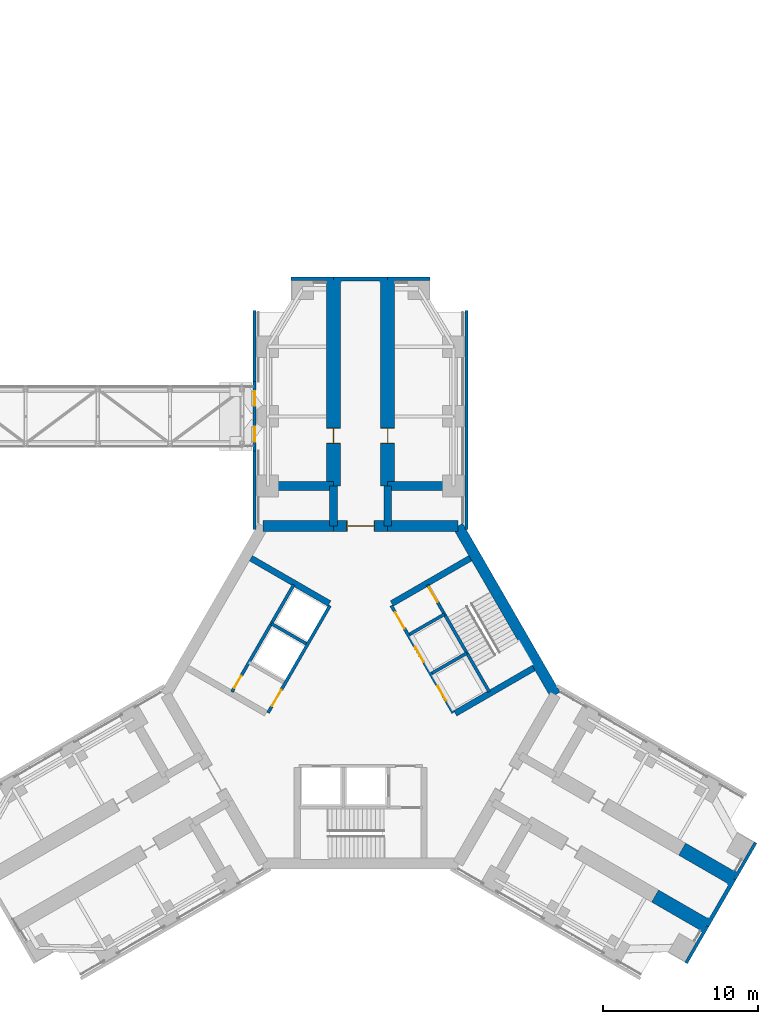
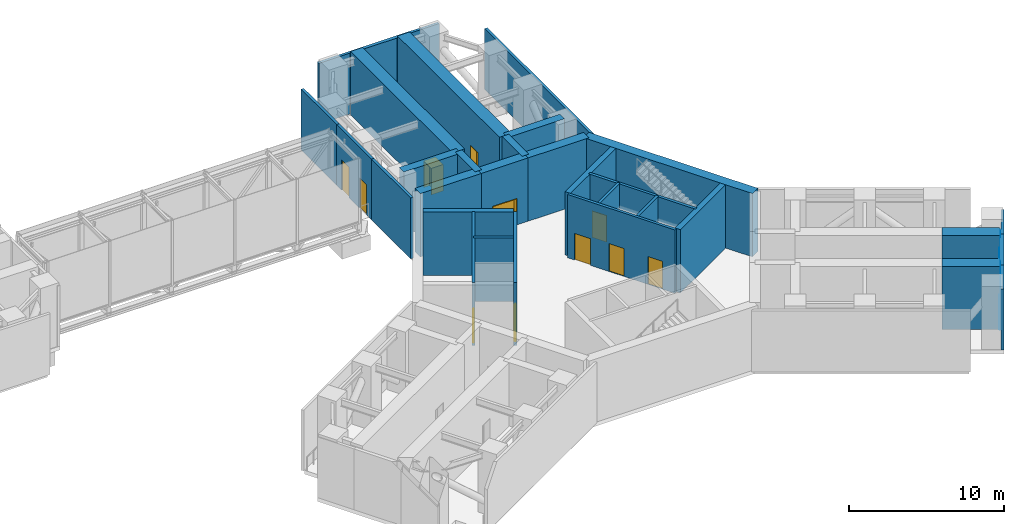
# One storey, part 11 of 17: 36 walls, 11 doors, 11 openings.
"""IFC4 building model written with IfcOpenShell, lengths in metres."""

from ifc_helpers import new_model, si_unit, direction, frame, frame_2d, origin, place, context, subcontext, project, spatial, rectangle, extrude, material, layer, layer_set, type_object, element, fill, save


model = new_model("IFC4")

# Units and contexts
model_context = context("Model", 3, precision=1e-05, world=origin(), true_north=direction((0.0, 1.0)))
body_context = subcontext(model_context, "Body", "Model", "MODEL_VIEW")
ifc_project = project(units=[si_unit("LENGTHUNIT", "METRE"), si_unit("AREAUNIT", "SQUARE_METRE"), si_unit("VOLUMEUNIT", "CUBIC_METRE"), si_unit("PLANEANGLEUNIT", "RADIAN"), si_unit("MASSUNIT", "GRAM", prefix="KILO")], contexts=[model_context])

# Site, building, storey
site_placement = place(None, origin())
site = spatial("IfcSite", under=ifc_project, at=site_placement, CompositionType="ELEMENT")
building_placement = place(site_placement, origin())
building = spatial("IfcBuilding", under=site, at=building_placement, Name="Upepo Twin Towers", CompositionType="ELEMENT")
storey_placement = place(building_placement, frame((0.0, 0.0, 92.5)))
storey = spatial("IfcBuildingStorey", under=building, at=storey_placement, Name="L22", CompositionType="ELEMENT", Elevation=92.5)

# Walls
ifc_material_1 = material(Name="Precast concrete breeze blocks", Category="concrete")
ifc_layer_1 = layer(ifc_material_1, 0.199951171875)
ifc_layer_set_1 = layer_set([ifc_layer_1], Name="Breeze-block screen wall 200")
wall_type_1 = type_object("IfcWallType", Name="Breeze-block screen wall 200", PredefinedType="USERDEFINED", material=ifc_layer_set_1)
wall_1_placement = place(storey_placement, frame((51.64990234375, -7.31298828125, 0.0), z_axis=(0.0, 0.0, 1.0), x_axis=(0.0, 1.0, 0.0)))
element("IfcWall", 1, at=wall_1_placement, inside=storey, type_object=wall_type_1, Name="T2 L22 wing A screen L1", ObjectType="SCREEN", PredefinedType="USERDEFINED", context=body_context, shape_type="SweptSolid", body=[
    extrude(rectangle(XDim=5.06298828125, YDim=0.199951171875, at=frame_2d((2.531494140625, 0.0))), origin(), (0.0, 0.0, 1.0), 4.800048828125),
])
wall_2_placement = place(storey_placement, frame((51.64990234375, 2.25, 0.0), z_axis=(0.0, 0.0, 1.0), x_axis=(0.0, 1.0, 0.0)))
element("IfcWall", 2, at=wall_2_placement, inside=storey, type_object=wall_type_1, Name="T2 L22 wing A screen L2", ObjectType="SCREEN", PredefinedType="USERDEFINED", context=body_context, shape_type="SweptSolid", body=[
    extrude(rectangle(XDim=4.60009765625, YDim=0.199951171875, at=frame_2d((2.300048828125, 0.0))), origin(), (0.0, 0.0, 1.0), 4.800048828125),
])
wall_3_placement = place(storey_placement, frame((65.35009765625, 6.85009765625, 0.0), z_axis=(0.0, 0.0, 1.0), x_axis=(0.0, -1.0, 0.0)))
element("IfcWall", 3, at=wall_3_placement, inside=storey, type_object=wall_type_1, Name="T2 L22 wing A screen R", ObjectType="SCREEN", PredefinedType="USERDEFINED", context=body_context, shape_type="SweptSolid", body=[
    extrude(rectangle(XDim=14.1630859375, YDim=0.199951171875, at=frame_2d((7.08154296875, 0.0))), origin(), (0.0, 0.0, 1.0), 4.800048828125),
])
for number, where, z_axis, x_axis, name in (
    (4, (63.0, 8.89990234375, 0.0), (0.0, 0.0, 1.0), (-1.0, 0.0, 0.0), "T2 L22 wing A nose screen 0"),
    (5, (56.75, 8.89990234375, 0.0), (0.0, 0.0, 1.0), (-1.0, 0.0, 0.0), "T2 L22 wing A nose screen 2"),
    (6, (79.546142578125, -35.34716796875, 0.0), (0.0, 0.0, 1.0), (0.499996545922, 0.866027397988, 0.0), "T2 L22 wing C nose screen 0"),
    (7, (82.671142578125, -29.9345703125, 0.0), (0.0, 0.0, 1.0), (0.499996545922, 0.866027397988, 0.0), "T2 L22 wing C nose screen 2"),
):
    element("IfcWall", number, at=place(storey_placement, frame(where, z_axis=z_axis, x_axis=x_axis)), inside=storey, type_object=wall_type_1, Name=name, ObjectType="SCREEN", PredefinedType="USERDEFINED", context=body_context, shape_type="SweptSolid", body=[
        extrude(rectangle(XDim=2.75, YDim=0.199951171875, at=frame_2d((1.375, 0.0))), origin(), (0.0, 0.0, 1.0), 4.800048828125),
    ])
ifc_material_2 = material(Name="Dense concrete blockwork", Category="masonry")
ifc_layer_2 = layer(ifc_material_2, 0.89990234375)
ifc_layer_set_2 = layer_set([ifc_layer_2], Name="Buttress closer 900, blockwork with fire-stopping to the curtain wall")
wall_type_2 = type_object("IfcWallType", Name="Buttress closer 900, blockwork with fire-stopping to the curtain wall", PredefinedType="PARTITIONING", material=ifc_layer_set_2)
for number, where, z_axis, x_axis, name in (
    (8, (56.75, 8.699951171875, 0.0), (0.0, 0.0, 1.0), (0.0, 1.0, 0.0), "T2 L22 wing A buttress closer L"),
    (9, (60.25, 8.699951171875, 0.0), (0.0, 0.0, 1.0), (0.0, 1.0, 0.0), "T2 L22 wing A buttress closer R"),
    (10, (82.497802734375, -29.83447265625, 0.0), (0.0, 0.0, 1.0), (0.867642581652, -0.497188445666, 0.0), "T2 L22 wing C buttress closer L"),
):
    element("IfcWall", number, at=place(storey_placement, frame(where, z_axis=z_axis, x_axis=x_axis)), inside=storey, type_object=wall_type_2, Name=name, PredefinedType="PARTITIONING", context=body_context, shape_type="SweptSolid", body=[
        extrude(rectangle(XDim=0.050048828125, YDim=0.89990234375, at=frame_2d((0.02490234375, 0.0))), origin(), (0.0, 0.0, 1.0), 4.800048828125),
    ])
wall_4_placement = place(storey_placement, frame((80.747802734375, -32.865478515625, 0.0), z_axis=(0.0, 0.0, 1.0), x_axis=(0.86553723574, -0.500844580232, 0.0)))
element("IfcWall", 11, at=wall_4_placement, inside=storey, type_object=wall_type_2, Name="T2 L22 wing C buttress closer R", PredefinedType="PARTITIONING", context=body_context, shape_type="SweptSolid", body=[
    extrude(rectangle(XDim=0.05029296875, YDim=0.89990234375, at=frame_2d((0.025146484375, 0.0))), origin(), (0.0, 0.0, 1.0), 4.800048828125),
])
ifc_material_3 = material(Name="Concrete C60/75", Category="concrete")
ifc_layer_3 = layer(ifc_material_3, 0.5)
ifc_layer_set_3 = layer_set([ifc_layer_3], Name="Concrete C60/75")
wall_type_3 = type_object("IfcWallType", Name="Buttress wall 500 RC", PredefinedType="SHEAR", material=ifc_layer_set_3)
for number, where, z_axis, x_axis, name in (
    (12, (56.75, -7.091552734375, 0.0), (0.0, 0.0, 1.0), (0.0, 1.0, 0.0), "T2 wing A buttress wall L"),
    (13, (60.25, -7.091552734375, 0.0), (0.0, 0.0, 1.0), (0.0, 1.0, 0.0), "T2 wing A buttress wall R"),
):
    element("IfcWall", number, at=place(storey_placement, frame(where, z_axis=z_axis, x_axis=x_axis)), inside=storey, type_object=wall_type_3, Name=name, PredefinedType="SHEAR", context=body_context, shape_type="SweptSolid", body=[
        extrude(rectangle(XDim=2.591552734375, YDim=0.5, at=frame_2d((1.2958984375, 0.0))), origin(), (0.0, 0.0, 1.0), 5.0),
    ])

# Wall, opening, door
ifc_material_4 = material(Name="Concrete C60/75", Category="concrete")
ifc_layer_4 = layer(ifc_material_4, 0.89990234375)
ifc_layer_set_4 = layer_set([ifc_layer_4], Name="Concrete C60/75")
wall_type_4 = type_object("IfcWallType", Name="Buttress wall 900 RC", PredefinedType="SHEAR", material=ifc_layer_set_4)
wall_5_placement = place(storey_placement, frame((56.75, -4.5, 0.0), z_axis=(0.0, 0.0, 1.0), x_axis=(0.0, 1.0, 0.0)))
wall_5 = element("IfcWall", 14, at=wall_5_placement, inside=storey, type_object=wall_type_4, Name="T2 wing A buttress wall L part 2", PredefinedType="SHEAR", context=body_context, shape_type="SweptSolid", body=[
    extrude(rectangle(XDim=13.199951171875, YDim=0.89990234375, at=frame_2d((6.60009765625, 0.0))), origin(), (0.0, 0.0, 1.0), 5.0),
])
opening_1_placement = place(wall_5_placement, frame((2.75, 0.0, 0.0)))
opening_1 = element("IfcOpeningElement", 15, at=opening_1_placement, cuts=wall_5, Name="Opening D1", PredefinedType="OPENING", context=body_context, shape_type="SweptSolid", body=[
    extrude(rectangle(XDim=1.0, YDim=2.10009765625, at=frame_2d((0.5, 1.050048828125))), frame((0.0, 0.4599609375, 0.0), z_axis=(0.0, -1.0, 0.0), x_axis=(1.0, 0.0, 0.0)), (0.0, 0.0, 1.0), 0.919921875),
])
ifc_material_5 = material(Name="Timber doorset", Category="wood")
door_type_1 = type_object("IfcDoorType", Name="Room door 1000 FD30", OperationType="SINGLE_SWING_LEFT", PredefinedType="DOOR", material=ifc_material_5)
door_1_placement = place(opening_1_placement, origin())
door_1 = element("IfcDoor", 16, at=door_1_placement, inside=storey, type_object=door_type_1, Name="T2 L22 refuge area door", OperationType="SINGLE_SWING_LEFT", OverallHeight=2.10009765625, OverallWidth=1.0, PredefinedType="DOOR", context=body_context, shape_type="SweptSolid", body=[
    extrude(rectangle(XDim=0.92, YDim=2.06009765625, at=frame_2d((0.5, 1.030029296875))), frame((0.0, 0.02490234375, 0.0), z_axis=(0.0, -1.0, 0.0), x_axis=(1.0, 0.0, 0.0)), (0.0, 0.0, 1.0), 0.050048828125),
    extrude(rectangle(XDim=0.04, YDim=2.10009765625, at=frame_2d((0.02001953125, 1.050048828125))), frame((0.0, 0.44970703125, 0.0), z_axis=(0.0, -1.0, 0.0), x_axis=(1.0, 0.0, 0.0)), (0.0, 0.0, 1.0), 0.8994140625),
    extrude(rectangle(XDim=0.04, YDim=2.10009765625, at=frame_2d((0.97998046875, 1.050048828125))), frame((0.0, 0.44970703125, 0.0), z_axis=(0.0, -1.0, 0.0), x_axis=(1.0, 0.0, 0.0)), (0.0, 0.0, 1.0), 0.8994140625),
    extrude(rectangle(XDim=0.92, YDim=0.04, at=frame_2d((0.5, 2.080078125))), frame((0.0, 0.44970703125, 0.0), z_axis=(0.0, -1.0, 0.0), x_axis=(1.0, 0.0, 0.0)), (0.0, 0.0, 1.0), 0.8994140625),
])
fill(opening_1, door_1)

wall_6_placement = place(storey_placement, frame((60.25, -4.5, 0.0), z_axis=(0.0, 0.0, 1.0), x_axis=(0.0, 1.0, 0.0)))
wall_6 = element("IfcWall", 17, at=wall_6_placement, inside=storey, type_object=wall_type_4, Name="T2 wing A buttress wall R part 2", PredefinedType="SHEAR", context=body_context, shape_type="SweptSolid", body=[
    extrude(rectangle(XDim=13.199951171875, YDim=0.89990234375, at=frame_2d((6.60009765625, 0.0))), origin(), (0.0, 0.0, 1.0), 5.0),
])
opening_2_placement = place(wall_6_placement, frame((2.75, 0.0, 0.0)))
opening_2 = element("IfcOpeningElement", 18, at=opening_2_placement, cuts=wall_6, Name="Opening D1", PredefinedType="OPENING", context=body_context, shape_type="SweptSolid", body=[
    extrude(rectangle(XDim=1.0, YDim=2.10009765625, at=frame_2d((0.5, 1.050048828125))), frame((0.0, 0.4599609375, 0.0), z_axis=(0.0, -1.0, 0.0), x_axis=(1.0, 0.0, 0.0)), (0.0, 0.0, 1.0), 0.919921875),
])
door_2_placement = place(opening_2_placement, origin())
door_2 = element("IfcDoor", 19, at=door_2_placement, inside=storey, type_object=door_type_1, Name="T2 L22 air-handling plant room door", OperationType="SINGLE_SWING_LEFT", OverallHeight=2.10009765625, OverallWidth=1.0, PredefinedType="DOOR", context=body_context, shape_type="SweptSolid", body=[
    extrude(rectangle(XDim=0.92, YDim=2.06009765625, at=frame_2d((0.5, 1.030029296875))), frame((0.0, 0.02490234375, 0.0), z_axis=(0.0, -1.0, 0.0), x_axis=(1.0, 0.0, 0.0)), (0.0, 0.0, 1.0), 0.050048828125),
    extrude(rectangle(XDim=0.04, YDim=2.10009765625, at=frame_2d((0.02001953125, 1.050048828125))), frame((0.0, 0.44970703125, 0.0), z_axis=(0.0, -1.0, 0.0), x_axis=(1.0, 0.0, 0.0)), (0.0, 0.0, 1.0), 0.8994140625),
    extrude(rectangle(XDim=0.04, YDim=2.10009765625, at=frame_2d((0.97998046875, 1.050048828125))), frame((0.0, 0.44970703125, 0.0), z_axis=(0.0, -1.0, 0.0), x_axis=(1.0, 0.0, 0.0)), (0.0, 0.0, 1.0), 0.8994140625),
    extrude(rectangle(XDim=0.92, YDim=0.04, at=frame_2d((0.5, 2.080078125))), frame((0.0, 0.44970703125, 0.0), z_axis=(0.0, -1.0, 0.0), x_axis=(1.0, 0.0, 0.0)), (0.0, 0.0, 1.0), 0.8994140625),
])
fill(opening_2, door_2)

# Walls
wall_7_placement = place(storey_placement, frame((79.293701171875, -27.984375, 0.0), z_axis=(0.0, 0.0, 1.0), x_axis=(0.866000971088, -0.500042316284, 0.0)))
element("IfcWall", 20, at=wall_7_placement, inside=storey, type_object=wall_type_4, Name="T2 wing C buttress wall L part 3", PredefinedType="SHEAR", context=body_context, shape_type="SweptSolid", body=[
    extrude(rectangle(XDim=3.699951171875, YDim=0.89990234375, at=frame_2d((1.85009765625, 0.0))), origin(), (0.0, 0.0, 1.0), 5.0),
])
wall_8_placement = place(storey_placement, frame((77.543701171875, -31.015625, 0.0), z_axis=(0.0, 0.0, 1.0), x_axis=(0.866029545028, -0.499992827086, 0.0)))
element("IfcWall", 21, at=wall_8_placement, inside=storey, type_object=wall_type_4, Name="T2 wing C buttress wall R part 3", PredefinedType="SHEAR", context=body_context, shape_type="SweptSolid", body=[
    extrude(rectangle(XDim=3.69970703125, YDim=0.89990234375, at=frame_2d((1.849853515625, 0.0))), origin(), (0.0, 0.0, 1.0), 5.0),
])
ifc_material_6 = material(Name="Concrete C60/75", Category="concrete")
ifc_layer_5 = layer(ifc_material_6, 0.699951171875)
ifc_layer_set_5 = layer_set([ifc_layer_5], Name="Concrete C60/75")
wall_type_5 = type_object("IfcWallType", Name="Core wall 700 RC", PredefinedType="SHEAR", material=ifc_layer_set_5)
wall_9_placement = place(storey_placement, frame((64.7978515625, -7.091552734375, 0.0), z_axis=(0.0, 0.0, 1.0), x_axis=(-1.0, 0.0, 0.0)))
element("IfcWall", 22, at=wall_9_placement, inside=storey, type_object=wall_type_5, Name="T2 core wall 000 R", PredefinedType="SHEAR", context=body_context, shape_type="SweptSolid", body=[
    extrude(rectangle(XDim=4.5478515625, YDim=0.699951171875, at=frame_2d((2.27392578125, 0.0))), origin(), (0.0, 0.0, 1.0), 5.0),
])

# Wall, opening, door
wall_10_placement = place(storey_placement, frame((60.25, -7.091552734375, 0.0), z_axis=(0.0, 0.0, 1.0), x_axis=(-1.0, 0.0, 0.0)))
wall_10 = element("IfcWall", 23, at=wall_10_placement, inside=storey, type_object=wall_type_5, Name="T2 core wall 000", PredefinedType="SHEAR", context=body_context, shape_type="SweptSolid", body=[
    extrude(rectangle(XDim=3.5, YDim=0.699951171875, at=frame_2d((1.75, 0.0))), origin(), (0.0, 0.0, 1.0), 5.0),
])
opening_3_placement = place(wall_10_placement, frame((0.85009765625, 0.0, 0.0)))
opening_3 = element("IfcOpeningElement", 24, at=opening_3_placement, cuts=wall_10, Name="Opening D2", PredefinedType="OPENING", context=body_context, shape_type="SweptSolid", body=[
    extrude(rectangle(XDim=1.800048828125, YDim=2.10009765625, at=frame_2d((0.89990234375, 1.050048828125))), frame((0.0, 0.35986328125, 0.0), z_axis=(0.0, -1.0, 0.0), x_axis=(1.0, 0.0, 0.0)), (0.0, 0.0, 1.0), 0.719970703125),
])
ifc_material_7 = material(Name="Timber doorset", Category="wood")
door_type_2 = type_object("IfcDoorType", Name="Corridor double door 1800 FD60", OperationType="DOUBLE_DOOR_DOUBLE_SWING", PredefinedType="DOOR", material=ifc_material_7)
door_3_placement = place(opening_3_placement, origin())
door_3 = element("IfcDoor", 25, at=door_3_placement, inside=storey, type_object=door_type_2, Name="T2 L22 wing A corridor door", OperationType="DOUBLE_DOOR_DOUBLE_SWING", OverallHeight=2.10009765625, OverallWidth=1.800048828125, PredefinedType="DOOR", context=body_context, shape_type="SweptSolid", body=[
    extrude(rectangle(XDim=1.720048828125, YDim=2.06009765625, at=frame_2d((0.89990234375, 1.030029296875))), frame((0.0, 0.02490234375, 0.0), z_axis=(0.0, -1.0, 0.0), x_axis=(1.0, 0.0, 0.0)), (0.0, 0.0, 1.0), 0.050048828125),
    extrude(rectangle(XDim=0.04, YDim=2.10009765625, at=frame_2d((0.02001953125, 1.050048828125))), frame((0.0, 0.349609375, 0.0), z_axis=(0.0, -1.0, 0.0), x_axis=(1.0, 0.0, 0.0)), (0.0, 0.0, 1.0), 0.699462890625),
    extrude(rectangle(XDim=0.04, YDim=2.10009765625, at=frame_2d((1.780029296875, 1.050048828125))), frame((0.0, 0.349609375, 0.0), z_axis=(0.0, -1.0, 0.0), x_axis=(1.0, 0.0, 0.0)), (0.0, 0.0, 1.0), 0.699462890625),
    extrude(rectangle(XDim=1.720048828125, YDim=0.04, at=frame_2d((0.89990234375, 2.080078125))), frame((0.0, 0.349609375, 0.0), z_axis=(0.0, -1.0, 0.0), x_axis=(1.0, 0.0, 0.0)), (0.0, 0.0, 1.0), 0.699462890625),
])
fill(opening_3, door_3)

# Walls
wall_11_placement = place(storey_placement, frame((56.75, -7.091552734375, 0.0), z_axis=(0.0, 0.0, 1.0), x_axis=(-1.0, 0.0, 0.0)))
element("IfcWall", 26, at=wall_11_placement, inside=storey, type_object=wall_type_5, Name="T2 core wall 000 L", PredefinedType="SHEAR", context=body_context, shape_type="SweptSolid", body=[
    extrude(rectangle(XDim=4.5478515625, YDim=0.699951171875, at=frame_2d((2.27392578125, 0.0))), origin(), (0.0, 0.0, 1.0), 5.0),
])
wall_12_placement = place(storey_placement, frame((71.095947265625, -18.0, 0.0), z_axis=(0.0, 0.0, 1.0), x_axis=(-0.500005998175, 0.866021940709, 0.0)))
element("IfcWall", 27, at=wall_12_placement, inside=storey, type_object=wall_type_5, Name="T2 core wall 300", PredefinedType="SHEAR", context=body_context, shape_type="SweptSolid", body=[
    extrude(rectangle(XDim=12.595947265625, YDim=0.699951171875, at=frame_2d((6.2978515625, 0.0))), origin(), (0.0, 0.0, 1.0), 5.0),
])
ifc_material_8 = material(Name="Blockwork with anodised aluminium cladding", Category="masonry")
ifc_layer_6 = layer(ifc_material_8, 0.25)
ifc_layer_set_6 = layer_set([ifc_layer_6], Name="Notch cladding wall 250, pale metal")
wall_type_6 = type_object("IfcWallType", Name="Notch cladding wall 250, pale metal", PredefinedType="STANDARD", material=ifc_layer_set_6)
wall_13_placement = place(storey_placement, frame((60.25, 8.875, 0.0), z_axis=(0.0, 0.0, 1.0), x_axis=(-1.0, 0.0, 0.0)))
element("IfcWall", 28, at=wall_13_placement, inside=storey, type_object=wall_type_6, Name="T2 L22 wing A nose wall", PredefinedType="STANDARD", context=body_context, shape_type="SweptSolid", body=[
    extrude(rectangle(XDim=3.5, YDim=0.25, at=frame_2d((1.75, 0.0))), origin(), (0.0, 0.0, 1.0), 4.800048828125),
])
wall_14_placement = place(storey_placement, frame((80.8994140625, -32.953125, 0.0), z_axis=(0.0, 0.0, 1.0), x_axis=(0.499980071345, 0.866036909293, 0.0)))
element("IfcWall", 29, at=wall_14_placement, inside=storey, type_object=wall_type_6, Name="T2 L22 wing C nose wall", PredefinedType="STANDARD", context=body_context, shape_type="SweptSolid", body=[
    extrude(rectangle(XDim=3.500244140625, YDim=0.25, at=frame_2d((1.75, 0.0))), origin(), (0.0, 0.0, 1.0), 4.800048828125),
])
ifc_material_9 = material(Name="Concrete C60/75", Category="concrete")
ifc_layer_7 = layer(ifc_material_9, 0.60009765625)
ifc_layer_set_7 = layer_set([ifc_layer_7], Name="Concrete C60/75")
wall_type_7 = type_object("IfcWallType", Name="Outrigger wall 600 RC", PredefinedType="SHEAR", material=ifc_layer_set_7)
for number, where, z_axis, x_axis, name in (
    (30, (56.75, -4.5, 0.0), (0.0, 0.0, 1.0), (-1.0, 0.0, 0.0), "T2 outrigger wall AL"),
    (31, (60.25, -4.5, 0.0), (0.0, 0.0, 1.0), (1.0, 0.0, 0.0), "T2 outrigger wall AR"),
):
    element("IfcWall", number, at=place(storey_placement, frame(where, z_axis=z_axis, x_axis=x_axis)), inside=storey, type_object=wall_type_7, Name=name, PredefinedType="SHEAR", context=body_context, shape_type="SweptSolid", body=[
        extrude(rectangle(XDim=4.25, YDim=0.60009765625, at=frame_2d((2.125, 0.0))), origin(), (0.0, 0.0, 1.0), 5.0),
    ])

# Wall, openings, doors
ifc_material_10 = material(Name="Concrete C40/50", Category="concrete")
ifc_layer_8 = layer(ifc_material_10, 0.25)
ifc_layer_set_8 = layer_set([ifc_layer_8], Name="Concrete C40/50")
wall_type_8 = type_object("IfcWallType", Name="Refuge fire wall 250 RC", PredefinedType="STANDARD", material=ifc_layer_set_8)
wall_15_placement = place(storey_placement, frame((51.64990234375, -2.25, 0.0), z_axis=(0.0, 0.0, 1.0), x_axis=(0.0, 1.0, 0.0)))
wall_15 = element("IfcWall", 32, at=wall_15_placement, inside=storey, type_object=wall_type_8, Name="T2 L22 bridge landing fire wall", PredefinedType="STANDARD", context=body_context, shape_type="SweptSolid", body=[
    extrude(rectangle(XDim=4.5, YDim=0.199951171875, at=frame_2d((2.25, 0.0))), origin(), (0.0, 0.0, 1.0), 4.800048828125),
])
opening_4_placement = place(wall_15_placement, frame((0.625, 0.0, 0.0)))
opening_4 = element("IfcOpeningElement", 33, at=opening_4_placement, cuts=wall_15, Name="Opening D12", PredefinedType="OPENING", context=body_context, shape_type="SweptSolid", body=[
    extrude(rectangle(XDim=0.949951171875, YDim=2.39990234375, at=frame_2d((0.47509765625, 1.199951171875))), frame((0.0, 0.10986328125, 0.0), z_axis=(0.0, -1.0, 0.0), x_axis=(1.0, 0.0, 0.0)), (0.0, 0.0, 1.0), 0.219970703125),
])
opening_5_placement = place(wall_15_placement, frame((2.925048828125, 0.0, 0.0)))
opening_5 = element("IfcOpeningElement", 34, at=opening_5_placement, cuts=wall_15, Name="Opening D12", PredefinedType="OPENING", context=body_context, shape_type="SweptSolid", body=[
    extrude(rectangle(XDim=0.949951171875, YDim=2.39990234375, at=frame_2d((0.47509765625, 1.199951171875))), frame((0.0, 0.10986328125, 0.0), z_axis=(0.0, -1.0, 0.0), x_axis=(1.0, 0.0, 0.0)), (0.0, 0.0, 1.0), 0.219970703125),
])
ifc_material_11 = material(Name="Aluminium glazed doorset", Category="aluminium")
door_type_3 = type_object("IfcDoorType", Name="Bridge door 950 FD60", OperationType="SINGLE_SWING_LEFT", PredefinedType="DOOR", material=ifc_material_11)
door_4_placement = place(opening_4_placement, origin())
door_4 = element("IfcDoor", 35, at=door_4_placement, inside=storey, type_object=door_type_3, Name="T2 L22 bridge door 1", OperationType="SINGLE_SWING_LEFT", OverallHeight=2.39990234375, OverallWidth=0.949951171875, PredefinedType="DOOR", context=body_context, shape_type="SweptSolid", body=[
    extrude(rectangle(XDim=0.949951171875, YDim=2.39990234375, at=frame_2d((0.47509765625, 1.199951171875))), frame((0.0, 0.02490234375, 0.0), z_axis=(0.0, -1.0, 0.0), x_axis=(1.0, 0.0, 0.0)), (0.0, 0.0, 1.0), 0.050048828125),
])
fill(opening_4, door_4)
door_5_placement = place(opening_5_placement, origin())
door_5 = element("IfcDoor", 36, at=door_5_placement, inside=storey, type_object=door_type_3, Name="T2 L22 bridge door 2", OperationType="SINGLE_SWING_RIGHT", OverallHeight=2.39990234375, OverallWidth=0.949951171875, PredefinedType="DOOR", context=body_context, shape_type="SweptSolid", body=[
    extrude(rectangle(XDim=0.949951171875, YDim=2.39990234375, at=frame_2d((0.47509765625, 1.199951171875))), frame((0.0, 0.02490234375, 0.0), z_axis=(0.0, -1.0, 0.0), x_axis=(1.0, 0.0, 0.0)), (0.0, 0.0, 1.0), 0.050048828125),
])
fill(opening_5, door_5)

# Wall, opening, door
ifc_material_12 = material(Name="Concrete C40/50", Category="concrete")
ifc_layer_9 = layer(ifc_material_12, 0.199951171875)
ifc_layer_set_9 = layer_set([ifc_layer_9], Name="Concrete C40/50")
wall_type_9 = type_object("IfcWallType", Name="Shaft wall 200 RC", PredefinedType="SHEAR", material=ifc_layer_set_9)
wall_16_placement = place(storey_placement, frame((56.516357421875, -12.23583984375, 0.0), z_axis=(0.0, 0.0, 1.0), x_axis=(-0.49999894854, -0.866026010844, 0.0)))
wall_16 = element("IfcWall", 37, at=wall_16_placement, inside=storey, type_object=wall_type_9, Name="T2 core W60 front wall", PredefinedType="SHEAR", context=body_context, shape_type="SweptSolid", body=[
    extrude(rectangle(XDim=8.0, YDim=0.199951171875, at=frame_2d((4.0, 0.0))), origin(), (0.0, 0.0, 1.0), 5.0),
])
opening_6_placement = place(wall_16_placement, frame((6.300048828125, 0.0, 0.0)))
opening_6 = element("IfcOpeningElement", 38, at=opening_6_placement, cuts=wall_16, Name="Opening D4", PredefinedType="OPENING", context=body_context, shape_type="SweptSolid", body=[
    extrude(rectangle(XDim=1.199951171875, YDim=2.10009765625, at=frame_2d((0.60009765625, 1.050048828125))), frame((0.0, 0.10986328125, 0.0), z_axis=(0.0, -1.0, 0.0), x_axis=(1.0, 0.0, 0.0)), (0.0, 0.0, 1.0), 0.219970703125),
])
ifc_material_13 = material(Name="Timber doorset", Category="wood")
door_type_4 = type_object("IfcDoorType", Name="Lobby door 1200 FD60", OperationType="SINGLE_SWING_LEFT", PredefinedType="DOOR", material=ifc_material_13)
door_6_placement = place(opening_6_placement, origin())
door_6 = element("IfcDoor", 39, at=door_6_placement, inside=storey, type_object=door_type_4, Name="T2 L22 W60 lobby door", OperationType="SINGLE_SWING_RIGHT", OverallHeight=2.10009765625, OverallWidth=1.199951171875, PredefinedType="DOOR", context=body_context, shape_type="SweptSolid", body=[
    extrude(rectangle(XDim=1.199951171875, YDim=2.10009765625, at=frame_2d((0.60009765625, 1.050048828125))), frame((0.0, 0.02490234375, 0.0), z_axis=(0.0, -1.0, 0.0), x_axis=(1.0, 0.0, 0.0)), (0.0, 0.0, 1.0), 0.050048828125),
])
fill(opening_6, door_6)

# Wall
wall_17_placement = place(storey_placement, frame((54.979736328125, -14.697265625, 0.0), z_axis=(0.0, 0.0, 1.0), x_axis=(-0.866062058628, 0.499936506574, 0.0)))
element("IfcWall", 40, at=wall_17_placement, inside=storey, type_object=wall_type_9, Name="T2 core W60 shaft divider", PredefinedType="SHEAR", context=body_context, shape_type="SweptSolid", body=[
    extrude(rectangle(XDim=2.599853515625, YDim=0.199951171875, at=frame_2d((1.2998046875, 0.0))), origin(), (0.0, 0.0, 1.0), 5.0),
])

# Wall, opening, door
wall_18_placement = place(storey_placement, frame((54.177978515625, -10.885986328125, 0.0), z_axis=(0.0, 0.0, 1.0), x_axis=(-0.49999894854, -0.866026010844, 0.0)))
wall_18 = element("IfcWall", 41, at=wall_18_placement, inside=storey, type_object=wall_type_9, Name="T2 core W60 stair wall", PredefinedType="SHEAR", context=body_context, shape_type="SweptSolid", body=[
    extrude(rectangle(XDim=8.0, YDim=0.199951171875, at=frame_2d((4.0, 0.0))), origin(), (0.0, 0.0, 1.0), 5.0),
])
opening_7_placement = place(wall_18_placement, frame((6.800048828125, 0.0, 0.0)))
opening_7 = element("IfcOpeningElement", 42, at=opening_7_placement, cuts=wall_18, Name="Opening D9", PredefinedType="OPENING", context=body_context, shape_type="SweptSolid", body=[
    extrude(rectangle(XDim=0.89990234375, YDim=2.10009765625, at=frame_2d((0.449951171875, 1.050048828125))), frame((0.0, 0.10986328125, 0.0), z_axis=(0.0, -1.0, 0.0), x_axis=(1.0, 0.0, 0.0)), (0.0, 0.0, 1.0), 0.219970703125),
])
ifc_material_14 = material(Name="Timber doorset", Category="wood")
door_type_5 = type_object("IfcDoorType", Name="Riser door 900 FD60", OperationType="SINGLE_SWING_LEFT", PredefinedType="DOOR", material=ifc_material_14)
door_7_placement = place(opening_7_placement, origin())
door_7 = element("IfcDoor", 43, at=door_7_placement, inside=storey, type_object=door_type_5, Name="T2 L22 riser door", OperationType="SINGLE_SWING_RIGHT", OverallHeight=2.10009765625, OverallWidth=0.89990234375, PredefinedType="DOOR", context=body_context, shape_type="SweptSolid", body=[
    extrude(rectangle(XDim=0.89990234375, YDim=2.10009765625, at=frame_2d((0.449951171875, 1.050048828125))), frame((0.0, 0.02490234375, 0.0), z_axis=(0.0, -1.0, 0.0), x_axis=(1.0, 0.0, 0.0)), (0.0, 0.0, 1.0), 0.050048828125),
])
fill(opening_7, door_7)

# Wall, openings, doors
wall_19_placement = place(storey_placement, frame((64.483642578125, -19.1640625, 0.0), z_axis=(0.0, 0.0, 1.0), x_axis=(-0.49999894854, 0.866026010844, 0.0)))
wall_19 = element("IfcWall", 44, at=wall_19_placement, inside=storey, type_object=wall_type_9, Name="T2 core W300 front wall", PredefinedType="SHEAR", context=body_context, shape_type="SweptSolid", body=[
    extrude(rectangle(XDim=8.0, YDim=0.199951171875, at=frame_2d((4.0, 0.0))), origin(), (0.0, 0.0, 1.0), 5.0),
])
opening_8_placement = place(wall_19_placement, frame((6.300048828125, 0.0, 0.0)))
opening_8 = element("IfcOpeningElement", 45, at=opening_8_placement, cuts=wall_19, Name="Opening D4", PredefinedType="OPENING", context=body_context, shape_type="SweptSolid", body=[
    extrude(rectangle(XDim=1.199951171875, YDim=2.10009765625, at=frame_2d((0.60009765625, 1.050048828125))), frame((0.0, 0.10986328125, 0.0), z_axis=(0.0, -1.0, 0.0), x_axis=(1.0, 0.0, 0.0)), (0.0, 0.0, 1.0), 0.219970703125),
])
opening_9_placement = place(wall_19_placement, frame((0.89990234375, 0.0, 0.0)))
opening_9 = element("IfcOpeningElement", 46, at=opening_9_placement, cuts=wall_19, Name="Opening LD1", PredefinedType="OPENING", context=body_context, shape_type="SweptSolid", body=[
    extrude(rectangle(XDim=1.10009765625, YDim=2.199951171875, at=frame_2d((0.550048828125, 1.10009765625))), frame((0.0, 0.10986328125, 0.0), z_axis=(0.0, -1.0, 0.0), x_axis=(1.0, 0.0, 0.0)), (0.0, 0.0, 1.0), 0.219970703125),
])
opening_10_placement = place(wall_19_placement, frame((3.800048828125, 0.0, 0.0)))
opening_10 = element("IfcOpeningElement", 47, at=opening_10_placement, cuts=wall_19, Name="Opening LD1", PredefinedType="OPENING", context=body_context, shape_type="SweptSolid", body=[
    extrude(rectangle(XDim=1.10009765625, YDim=2.199951171875, at=frame_2d((0.550048828125, 1.10009765625))), frame((0.0, 0.10986328125, 0.0), z_axis=(0.0, -1.0, 0.0), x_axis=(1.0, 0.0, 0.0)), (0.0, 0.0, 1.0), 0.219970703125),
])
ifc_material_15 = material(Name="Steel doorset", Category="steel")
door_type_6 = type_object("IfcDoorType", Name="Lift landing door 1100", OperationType="DOUBLE_DOOR_SLIDING", PredefinedType="DOOR", material=ifc_material_15)
door_8_placement = place(opening_9_placement, origin())
door_8 = element("IfcDoor", 48, at=door_8_placement, inside=storey, type_object=door_type_6, Name="T2 L22 lift LL1 landing door", OperationType="DOUBLE_DOOR_SLIDING", OverallHeight=2.199951171875, OverallWidth=1.10009765625, PredefinedType="DOOR", context=body_context, shape_type="SweptSolid", body=[
    extrude(rectangle(XDim=1.10009765625, YDim=2.199951171875, at=frame_2d((0.550048828125, 1.10009765625))), frame((0.0, 0.02490234375, 0.0), z_axis=(0.0, -1.0, 0.0), x_axis=(1.0, 0.0, 0.0)), (0.0, 0.0, 1.0), 0.050048828125),
])
fill(opening_9, door_8)
door_9_placement = place(opening_10_placement, origin())
door_9 = element("IfcDoor", 49, at=door_9_placement, inside=storey, type_object=door_type_6, Name="T2 L22 lift LL2 landing door", OperationType="DOUBLE_DOOR_SLIDING", OverallHeight=2.199951171875, OverallWidth=1.10009765625, PredefinedType="DOOR", context=body_context, shape_type="SweptSolid", body=[
    extrude(rectangle(XDim=1.10009765625, YDim=2.199951171875, at=frame_2d((0.550048828125, 1.10009765625))), frame((0.0, 0.02490234375, 0.0), z_axis=(0.0, -1.0, 0.0), x_axis=(1.0, 0.0, 0.0)), (0.0, 0.0, 1.0), 0.050048828125),
])
fill(opening_10, door_9)
door_10_placement = place(opening_8_placement, origin())
door_10 = element("IfcDoor", 50, at=door_10_placement, inside=storey, type_object=door_type_4, Name="T2 L22 W300 lobby door", OperationType="SINGLE_SWING_RIGHT", OverallHeight=2.10009765625, OverallWidth=1.199951171875, PredefinedType="DOOR", context=body_context, shape_type="SweptSolid", body=[
    extrude(rectangle(XDim=1.199951171875, YDim=2.10009765625, at=frame_2d((0.60009765625, 1.050048828125))), frame((0.0, 0.02490234375, 0.0), z_axis=(0.0, -1.0, 0.0), x_axis=(1.0, 0.0, 0.0)), (0.0, 0.0, 1.0), 0.050048828125),
])
fill(opening_8, door_10)

# Walls
wall_20_placement = place(storey_placement, frame((63.120361328125, -16.6025390625, 0.0), z_axis=(0.0, 0.0, 1.0), x_axis=(0.866062058628, 0.499936506574, 0.0)))
element("IfcWall", 51, at=wall_20_placement, inside=storey, type_object=wall_type_9, Name="T2 core W300 shaft divider", PredefinedType="SHEAR", context=body_context, shape_type="SweptSolid", body=[
    extrude(rectangle(XDim=2.599853515625, YDim=0.199951171875, at=frame_2d((1.2998046875, 0.0))), origin(), (0.0, 0.0, 1.0), 5.0),
])
wall_21_placement = place(storey_placement, frame((61.67041015625, -14.091064453125, 0.0), z_axis=(0.0, 0.0, 1.0), x_axis=(0.86603858612, 0.49997716683, 0.0)))
element("IfcWall", 52, at=wall_21_placement, inside=storey, type_object=wall_type_9, Name="T2 core W300 lobby wall", PredefinedType="SHEAR", context=body_context, shape_type="SweptSolid", body=[
    extrude(rectangle(XDim=2.599609375, YDim=0.199951171875, at=frame_2d((1.2998046875, 0.0))), origin(), (0.0, 0.0, 1.0), 5.0),
])

# Wall, opening, door
wall_22_placement = place(storey_placement, frame((66.822021484375, -17.814208984375, 0.0), z_axis=(0.0, 0.0, 1.0), x_axis=(-0.49999894854, 0.866026010844, 0.0)))
wall_22 = element("IfcWall", 53, at=wall_22_placement, inside=storey, type_object=wall_type_9, Name="T2 core W300 stair wall", PredefinedType="SHEAR", context=body_context, shape_type="SweptSolid", body=[
    extrude(rectangle(XDim=8.0, YDim=0.199951171875, at=frame_2d((4.0, 0.0))), origin(), (0.0, 0.0, 1.0), 5.0),
])
opening_11_placement = place(wall_22_placement, frame((6.699951171875, 0.0, 0.0)))
opening_11 = element("IfcOpeningElement", 54, at=opening_11_placement, cuts=wall_22, Name="Opening D3", PredefinedType="OPENING", context=body_context, shape_type="SweptSolid", body=[
    extrude(rectangle(XDim=1.10009765625, YDim=2.10009765625, at=frame_2d((0.550048828125, 1.050048828125))), frame((0.0, 0.10986328125, 0.0), z_axis=(0.0, -1.0, 0.0), x_axis=(1.0, 0.0, 0.0)), (0.0, 0.0, 1.0), 0.219970703125),
])
ifc_material_16 = material(Name="Timber doorset", Category="wood")
door_type_7 = type_object("IfcDoorType", Name="Stair door 1100 FD60", OperationType="SINGLE_SWING_LEFT", PredefinedType="DOOR", material=ifc_material_16)
door_11_placement = place(opening_11_placement, origin())
door_11 = element("IfcDoor", 55, at=door_11_placement, inside=storey, type_object=door_type_7, Name="T2 L22 stair door", OperationType="SINGLE_SWING_RIGHT", OverallHeight=2.10009765625, OverallWidth=1.10009765625, PredefinedType="DOOR", context=body_context, shape_type="SweptSolid", body=[
    extrude(rectangle(XDim=1.10009765625, YDim=2.10009765625, at=frame_2d((0.550048828125, 1.050048828125))), frame((0.0, 0.02490234375, 0.0), z_axis=(0.0, -1.0, 0.0), x_axis=(1.0, 0.0, 0.0)), (0.0, 0.0, 1.0), 0.050048828125),
])
fill(opening_11, door_11)

# Walls
ifc_material_17 = material(Name="Concrete C40/50", Category="concrete")
ifc_layer_10 = layer(ifc_material_17, 0.39990234375)
ifc_layer_set_10 = layer_set([ifc_layer_10], Name="Concrete C40/50")
wall_type_10 = type_object("IfcWallType", Name="Shaft wall 400 RC", PredefinedType="SHEAR", material=ifc_layer_set_10)
for number, where, z_axis, x_axis, name in (
    (56, (56.479736328125, -12.099365234375, 0.0), (0.0, 0.0, 1.0), (-0.866023886965, 0.500002627198, 0.0), "T2 core W60 side wall S"),
    (57, (60.520263671875, -12.099365234375, 0.0), (0.0, 0.0, 1.0), (0.866023886965, 0.500002627198, 0.0), "T2 core W300 side wall N"),
    (58, (64.620361328125, -19.20068359375, 0.0), (0.0, 0.0, 1.0), (0.866023886965, 0.500002627198, 0.0), "T2 core W300 side wall S"),
):
    element("IfcWall", number, at=place(storey_placement, frame(where, z_axis=z_axis, x_axis=x_axis)), inside=storey, type_object=wall_type_10, Name=name, PredefinedType="SHEAR", context=body_context, shape_type="SweptSolid", body=[
        extrude(rectangle(XDim=5.8583984375, YDim=0.39990234375, at=frame_2d((2.92919921875, 0.0))), origin(), (0.0, 0.0, 1.0), 5.0),
    ])

save(model, "model.ifc")
